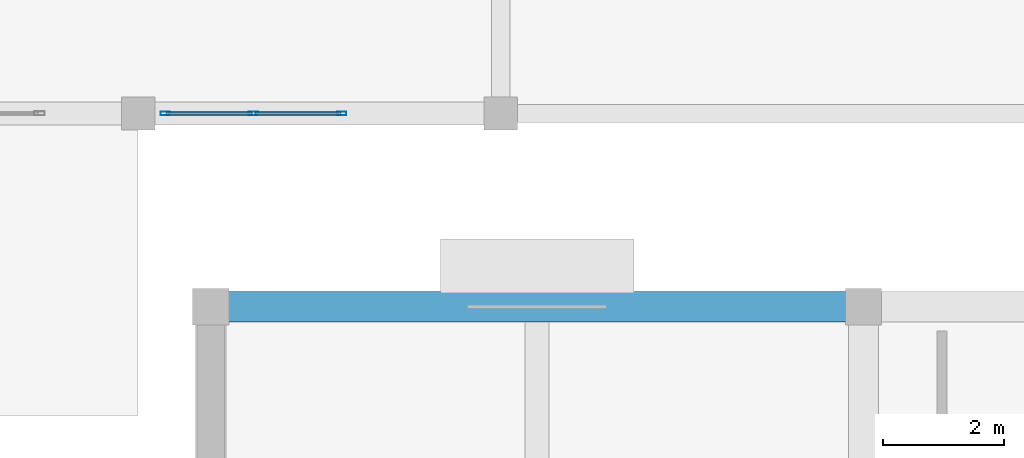
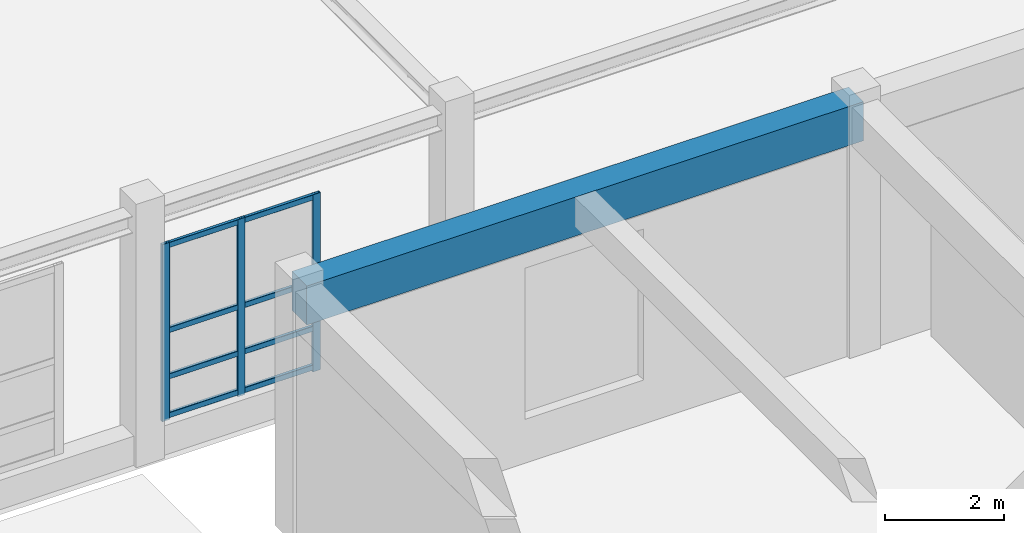
# One storey, part 61 of 197: 11 members, 1 beam, 1 element without a shape of its own.
"""IFC4 building model written with IfcOpenShell, lengths in metres."""

from ifc_helpers import new_model, si_unit, derived_unit, direction, frame, origin, origin_2d, place, context, subcontext, project, spatial, rectangle, hollow_rectangle, extrude, material, layer, layer_set, material_profile, profile_set, type_object, element, aggregate, save


model = new_model("IFC4")

# Units and contexts
model_context = context("Model", 3, precision=1e-05, world=origin(), true_north=direction((0.0, 1.0)))
body_context = subcontext(model_context, "Body", "Model", "MODEL_VIEW")
ifc_project = project(units=[si_unit("LENGTHUNIT", "METRE"), si_unit("AREAUNIT", "SQUARE_METRE"), si_unit("VOLUMEUNIT", "CUBIC_METRE"), si_unit("PLANEANGLEUNIT", "RADIAN"), si_unit("MASSUNIT", "GRAM", prefix="KILO"), derived_unit("THERMALTRANSMITTANCEUNIT", [(si_unit("POWERUNIT", "WATT"), 1), (si_unit("LENGTHUNIT", "METRE"), -2), (si_unit("THERMODYNAMICTEMPERATUREUNIT", "KELVIN"), -1)])], contexts=[model_context])

# Site, building, storey
site_placement = place(None, origin())
site = spatial("IfcSite", under=ifc_project, at=site_placement, CompositionType="ELEMENT")
building_placement = place(site_placement, origin())
building = spatial("IfcBuilding", under=site, at=building_placement, Name="Almenara Railside Exhibition Hall", CompositionType="ELEMENT")
storey_placement = place(building_placement, frame((0.0, 0.0, 5.39990234375)))
storey = spatial("IfcBuildingStorey", under=building, at=storey_placement, Name="L01", CompositionType="ELEMENT", Elevation=5.39990234375)

# Curtain wall, members
ifc_material_1 = material(Name="Bronze-anodised aluminium and low-E double glazing", Category="aluminium")
ifc_layer = layer(ifc_material_1, 0.179931640625, Name="Bronze-anodised aluminium and low-E double glazing")
ifc_layer_set = layer_set([ifc_layer], Name="Bronze-anodised aluminium and low-E double glazing")
curtain_wall_type = type_object("IfcCurtainWallType", Name="Concourse Bridge Curtain Wall 3200x3600", PredefinedType="NOTDEFINED", material=ifc_layer_set)
curtain_wall_placement = place(storey_placement, origin())
curtain_wall = element("IfcCurtainWall", 1, at=curtain_wall_placement, inside=storey, type_object=curtain_wall_type, Name="Curtain wall CW-PC3-137", PredefinedType="NOTDEFINED")
ifc_material_2 = material(Name="Bronze-anodised aluminium", Category="aluminium")
ifc_material_profile_1 = material_profile(ifc_material_2, hollow_rectangle(XDim=0.06005859375, YDim=0.14990234375, WallThickness=0.00341796875, InnerFilletRadius=0.00341796875, OuterFilletRadius=0.007080078125, at=origin_2d()), Name="ALU-MUL 60x150x3.5")
ifc_profile_set_1 = profile_set([ifc_material_profile_1], Name="Bronze-anodised aluminium")
member_type_1 = type_object("IfcMemberType", Name="Curtain Wall Mullion 60x150x3.5", PredefinedType="MULLION", material=ifc_profile_set_1)
member_1_placement = place(storey_placement, frame((114.445068359375, 36.0, 0.565185546875), z_axis=(0.0, 0.0, 1.0), x_axis=(0.0, 1.0, 0.0)))
member_1 = element("IfcMember", 2, at=member_1_placement, type_object=member_type_1, Name="CW-PC3-137 mullion 1", PredefinedType="MULLION", context=body_context, shape_type="SweptSolid", body=[
    extrude(hollow_rectangle(XDim=0.06005859375, YDim=0.14990234375, WallThickness=0.00341796875, InnerFilletRadius=0.00341796875, OuterFilletRadius=0.007080078125, at=origin_2d()), origin(), (0.0, 0.0, 1.0), 3.635009765625),
])
member_2_placement = place(storey_placement, frame((115.907470703125, 36.0, 0.565185546875), z_axis=(0.0, 0.0, 1.0), x_axis=(0.0, 1.0, 0.0)))
member_2 = element("IfcMember", 3, at=member_2_placement, type_object=member_type_1, Name="CW-PC3-137 mullion 2", PredefinedType="MULLION", context=body_context, shape_type="SweptSolid", body=[
    extrude(hollow_rectangle(XDim=0.06005859375, YDim=0.14990234375, WallThickness=0.00341796875, InnerFilletRadius=0.00341796875, OuterFilletRadius=0.007080078125, at=origin_2d()), origin(), (0.0, 0.0, 1.0), 3.635009765625),
])
member_3_placement = place(storey_placement, frame((117.3701171875, 36.0, 0.565185546875), z_axis=(0.0, 0.0, 1.0), x_axis=(0.0, 1.0, 0.0)))
member_3 = element("IfcMember", 4, at=member_3_placement, type_object=member_type_1, Name="CW-PC3-137 mullion 3", PredefinedType="MULLION", context=body_context, shape_type="SweptSolid", body=[
    extrude(hollow_rectangle(XDim=0.06005859375, YDim=0.14990234375, WallThickness=0.00341796875, InnerFilletRadius=0.00341796875, OuterFilletRadius=0.007080078125, at=origin_2d()), origin(), (0.0, 0.0, 1.0), 3.635009765625),
])
ifc_material_profile_2 = material_profile(ifc_material_2, hollow_rectangle(XDim=0.06005859375, YDim=0.110107421875, WallThickness=0.0029296875, InnerFilletRadius=0.0029296875, OuterFilletRadius=0.006103515625, at=origin_2d()), Name="ALU-TRN 60x110x3")
ifc_profile_set_2 = profile_set([ifc_material_profile_2], Name="Bronze-anodised aluminium")
member_type_2 = type_object("IfcMemberType", Name="Curtain Wall Transom 60x110x3", PredefinedType="USERDEFINED", material=ifc_profile_set_2)
member_4_placement = place(storey_placement, frame((114.467041015625, 36.0, 0.655029296875), z_axis=(1.0, 0.0, 0.0), x_axis=(0.0, 1.0, 0.0)))
member_4 = element("IfcMember", 5, at=member_4_placement, type_object=member_type_2, Name="CW-PC3-137 transom 1.1", ObjectType="TRANSOM", PredefinedType="USERDEFINED", context=body_context, shape_type="SweptSolid", body=[
    extrude(hollow_rectangle(XDim=0.06005859375, YDim=0.110107421875, WallThickness=0.0029296875, InnerFilletRadius=0.0029296875, OuterFilletRadius=0.006103515625, at=origin_2d()), origin(), (0.0, 0.0, 1.0), 1.41845703125),
])
member_5_placement = place(storey_placement, frame((114.467041015625, 36.0, 1.4501953125), z_axis=(1.0, 0.0, 0.0), x_axis=(0.0, 1.0, 0.0)))
member_5 = element("IfcMember", 6, at=member_5_placement, type_object=member_type_2, Name="CW-PC3-137 transom 1.2", ObjectType="TRANSOM", PredefinedType="USERDEFINED", context=body_context, shape_type="SweptSolid", body=[
    extrude(hollow_rectangle(XDim=0.06005859375, YDim=0.110107421875, WallThickness=0.0029296875, InnerFilletRadius=0.0029296875, OuterFilletRadius=0.006103515625, at=origin_2d()), origin(), (0.0, 0.0, 1.0), 1.41845703125),
])
member_6_placement = place(storey_placement, frame((114.467041015625, 36.0, 2.400146484375), z_axis=(1.0, 0.0, 0.0), x_axis=(0.0, 1.0, 0.0)))
member_6 = element("IfcMember", 7, at=member_6_placement, type_object=member_type_2, Name="CW-PC3-137 transom 1.3", ObjectType="TRANSOM", PredefinedType="USERDEFINED", context=body_context, shape_type="SweptSolid", body=[
    extrude(hollow_rectangle(XDim=0.06005859375, YDim=0.110107421875, WallThickness=0.0029296875, InnerFilletRadius=0.0029296875, OuterFilletRadius=0.006103515625, at=origin_2d()), origin(), (0.0, 0.0, 1.0), 1.41845703125),
])
member_7_placement = place(storey_placement, frame((114.467041015625, 36.0, 4.14501953125), z_axis=(1.0, 0.0, 0.0), x_axis=(0.0, 1.0, 0.0)))
member_7 = element("IfcMember", 8, at=member_7_placement, type_object=member_type_2, Name="CW-PC3-137 transom 1.4", ObjectType="TRANSOM", PredefinedType="USERDEFINED", context=body_context, shape_type="SweptSolid", body=[
    extrude(hollow_rectangle(XDim=0.06005859375, YDim=0.110107421875, WallThickness=0.0029296875, InnerFilletRadius=0.0029296875, OuterFilletRadius=0.006103515625, at=origin_2d()), origin(), (0.0, 0.0, 1.0), 1.41845703125),
])
member_8_placement = place(storey_placement, frame((115.929443359375, 36.0, 0.655029296875), z_axis=(1.0, 0.0, 0.0), x_axis=(0.0, 1.0, 0.0)))
member_8 = element("IfcMember", 9, at=member_8_placement, type_object=member_type_2, Name="CW-PC3-137 transom 2.1", ObjectType="TRANSOM", PredefinedType="USERDEFINED", context=body_context, shape_type="SweptSolid", body=[
    extrude(hollow_rectangle(XDim=0.06005859375, YDim=0.110107421875, WallThickness=0.0029296875, InnerFilletRadius=0.0029296875, OuterFilletRadius=0.006103515625, at=origin_2d()), origin(), (0.0, 0.0, 1.0), 1.41845703125),
])
member_9_placement = place(storey_placement, frame((115.929443359375, 36.0, 1.4501953125), z_axis=(1.0, 0.0, 0.0), x_axis=(0.0, 1.0, 0.0)))
member_9 = element("IfcMember", 10, at=member_9_placement, type_object=member_type_2, Name="CW-PC3-137 transom 2.2", ObjectType="TRANSOM", PredefinedType="USERDEFINED", context=body_context, shape_type="SweptSolid", body=[
    extrude(hollow_rectangle(XDim=0.06005859375, YDim=0.110107421875, WallThickness=0.0029296875, InnerFilletRadius=0.0029296875, OuterFilletRadius=0.006103515625, at=origin_2d()), origin(), (0.0, 0.0, 1.0), 1.41845703125),
])
member_10_placement = place(storey_placement, frame((115.929443359375, 36.0, 2.400146484375), z_axis=(1.0, 0.0, 0.0), x_axis=(0.0, 1.0, 0.0)))
member_10 = element("IfcMember", 11, at=member_10_placement, type_object=member_type_2, Name="CW-PC3-137 transom 2.3", ObjectType="TRANSOM", PredefinedType="USERDEFINED", context=body_context, shape_type="SweptSolid", body=[
    extrude(hollow_rectangle(XDim=0.06005859375, YDim=0.110107421875, WallThickness=0.0029296875, InnerFilletRadius=0.0029296875, OuterFilletRadius=0.006103515625, at=origin_2d()), origin(), (0.0, 0.0, 1.0), 1.41845703125),
])
member_11_placement = place(storey_placement, frame((115.929443359375, 36.0, 4.14501953125), z_axis=(1.0, 0.0, 0.0), x_axis=(0.0, 1.0, 0.0)))
member_11 = element("IfcMember", 12, at=member_11_placement, type_object=member_type_2, Name="CW-PC3-137 transom 2.4", ObjectType="TRANSOM", PredefinedType="USERDEFINED", context=body_context, shape_type="SweptSolid", body=[
    extrude(hollow_rectangle(XDim=0.06005859375, YDim=0.110107421875, WallThickness=0.0029296875, InnerFilletRadius=0.0029296875, OuterFilletRadius=0.006103515625, at=origin_2d()), origin(), (0.0, 0.0, 1.0), 1.41845703125),
])
aggregate(curtain_wall, [member_1, member_2, member_3, member_4, member_5, member_6, member_7, member_8, member_9, member_10, member_11])

# Beam
ifc_material_3 = material(Name="Concrete C35/45", Category="concrete")
ifc_material_profile_3 = material_profile(ifc_material_3, rectangle(XDim=0.5, YDim=0.800048828125, at=origin_2d()), Name="RC 500x800")
ifc_profile_set_3 = profile_set([ifc_material_profile_3], Name="Concrete C35/45")
beam_type = type_object("IfcBeamType", Name="RC Primary Beam 500x800 C35/45", PredefinedType="BEAM", material=ifc_profile_set_3)
beam_placement = place(storey_placement, frame((115.199951171875, 32.800048828125, 4.736083984375), z_axis=(1.0, 0.0, 0.0), x_axis=(0.0, 1.0, 0.0)))
element("IfcBeam", 13, at=beam_placement, inside=storey, type_object=beam_type, Name="Beam 0192", PredefinedType="BEAM", context=body_context, shape_type="SweptSolid", body=[
    extrude(rectangle(XDim=0.5, YDim=0.800048828125, at=origin_2d()), origin(), (0.0, 0.0, 1.0), 10.800048828125),
])

save(model, "model.ifc")
